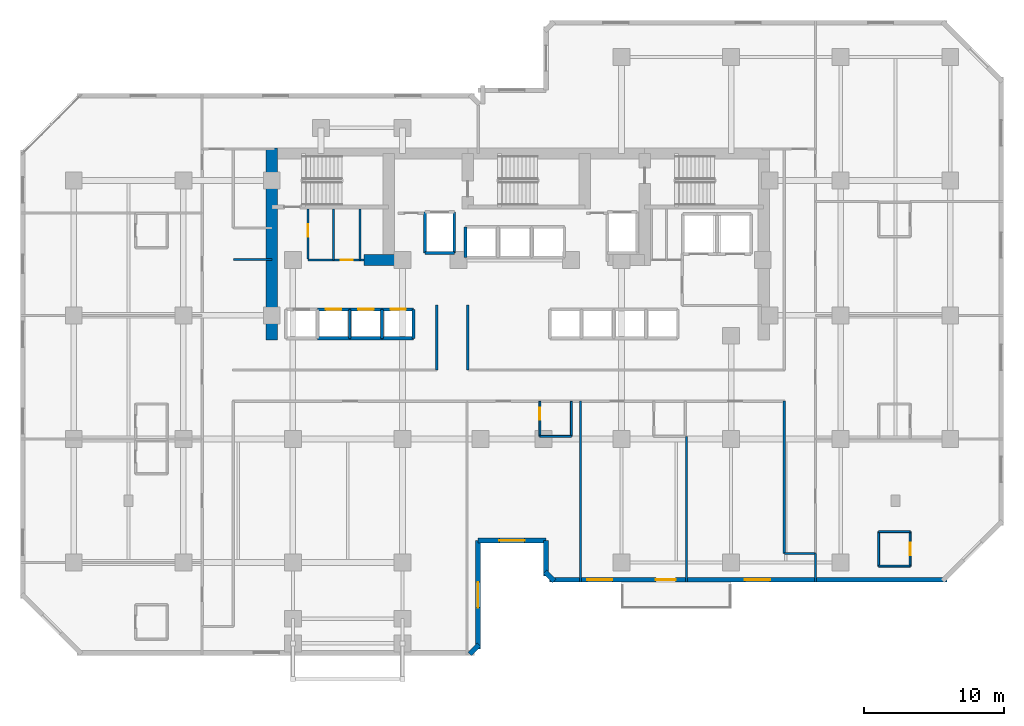
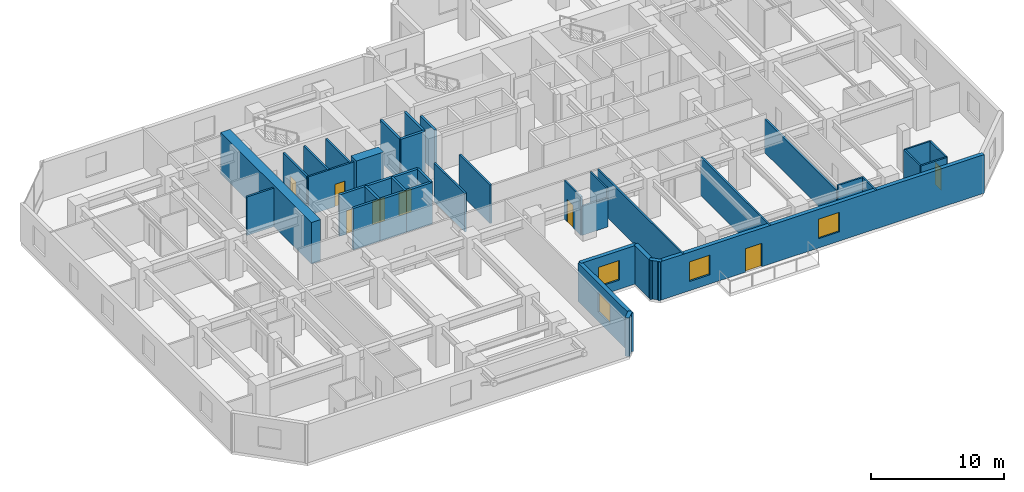
# One storey, part 7 of 12: 40 walls, 8 doors, 4 windows, 12 openings.
"""IFC4 building model written with IfcOpenShell, lengths in metres."""

from ifc_helpers import new_model, si_unit, direction, frame, frame_2d, origin, place, context, subcontext, project, spatial, rectangle, extrude, material, layer, layer_set, type_object, element, fill, save


model = new_model("IFC4")

# Units and contexts
model_context = context("Model", 3, precision=1e-05, world=origin(), true_north=direction((0.0, 1.0)))
body_context = subcontext(model_context, "Body", "Model", "MODEL_VIEW")
ifc_project = project(units=[si_unit("LENGTHUNIT", "METRE"), si_unit("AREAUNIT", "SQUARE_METRE"), si_unit("VOLUMEUNIT", "CUBIC_METRE"), si_unit("PLANEANGLEUNIT", "RADIAN"), si_unit("MASSUNIT", "GRAM", prefix="KILO")], contexts=[model_context])

# Site, building, storey
site_placement = place(None, origin())
site = spatial("IfcSite", under=ifc_project, at=site_placement, CompositionType="ELEMENT")
building_placement = place(site_placement, origin())
building = spatial("IfcBuilding", under=site, at=building_placement, Name="Kestravale Grand Hotel", CompositionType="ELEMENT")
storey_placement = place(building_placement, frame((0.0, 0.0, 91.800048828125)))
storey = spatial("IfcBuildingStorey", under=building, at=storey_placement, Name="L22", CompositionType="ELEMENT", Elevation=91.800048828125)

# Walls
ifc_material_1 = material(Name="Concrete f'c 60 MPa", Category="concrete")
ifc_layer_1 = layer(ifc_material_1, 0.800048828125)
ifc_layer_set_1 = layer_set([ifc_layer_1], Name="EW-CORE-800")
wall_type_1 = type_object("IfcWallType", Name="EW-CORE-800", PredefinedType="SHEAR", material=ifc_layer_set_1)
wall_1_placement = place(storey_placement, frame((21.89990234375, 27.050048828125, 0.0), z_axis=(0.0, 0.0, 1.0), x_axis=(0.0, 1.0, 0.0)))
element("IfcWall", 1, at=wall_1_placement, inside=storey, type_object=wall_type_1, Name="L22 core shear wall W1", PredefinedType="SHEAR", context=body_context, shape_type="SweptSolid", body=[
    extrude(rectangle(XDim=13.669921875, YDim=0.800048828125, at=frame_2d((6.8349609375, 0.0))), origin(), (0.0, 0.0, 1.0), 3.800048828125),
])
wall_2_placement = place(storey_placement, frame((28.449951171875, 32.75, 0.0), z_axis=(0.0, 0.0, 1.0), x_axis=(1.0, 0.0, 0.0)))
element("IfcWall", 2, at=wall_2_placement, inside=storey, type_object=wall_type_1, Name="L22 core shear wall S1", PredefinedType="SHEAR", context=body_context, shape_type="SweptSolid", body=[
    extrude(rectangle(XDim=2.400146484375, YDim=0.800048828125, at=frame_2d((1.2001953125, 0.0))), origin(), (0.0, 0.0, 1.0), 3.800048828125),
])
ifc_material_2 = material(Name="Precast concrete f'c 45 MPa", Category="concrete")
ifc_layer_2 = layer(ifc_material_2, 0.340087890625)
ifc_layer_set_2 = layer_set([ifc_layer_2], Name="EW-PREC-340")
wall_type_2 = type_object("IfcWallType", Name="EW-PREC-340", PredefinedType="SOLIDWALL", material=ifc_layer_set_2)
wall_3_placement = place(storey_placement, frame((36.00146484375, 4.69189453125, 0.0), z_axis=(0.0, 0.0, 1.0), x_axis=(0.707238225886, 0.706975312048, 0.0)))
element("IfcWall", 3, at=wall_3_placement, inside=storey, type_object=wall_type_2, Name="L22 fluted precast facade wall 2", PredefinedType="SOLIDWALL", context=body_context, shape_type="SweptSolid", body=[
    extrude(rectangle(XDim=0.9287109375, YDim=0.340087890625, at=frame_2d((0.46435546875, 0.0))), origin(), (0.0, 0.0, 1.0), 3.5400390625),
])

# Wall, opening, window
wall_4_placement = place(storey_placement, frame((36.580078125, 5.030029296875, 0.0), z_axis=(0.0, 0.0, 1.0), x_axis=(0.0, 1.0, 0.0)))
wall_4 = element("IfcWall", 4, at=wall_4_placement, inside=storey, type_object=wall_type_2, Name="L22 fluted precast facade wall 3", PredefinedType="SOLIDWALL", context=body_context, shape_type="SweptSolid", body=[
    extrude(rectangle(XDim=7.739990234375, YDim=0.340087890625, at=frame_2d((3.8701171875, 0.0))), origin(), (0.0, 0.0, 1.0), 3.5400390625),
])
opening_1_placement = place(wall_4_placement, frame((2.969970703125, 0.0, 0.85009765625)))
opening_1 = element("IfcOpeningElement", 5, at=opening_1_placement, cuts=wall_4, Name="Opening W-GUEST-1800", PredefinedType="OPENING", context=body_context, shape_type="SweptSolid", body=[
    extrude(rectangle(XDim=1.800048828125, YDim=1.800048828125, at=frame_2d((0.89990234375, 0.89990234375))), frame((0.0, 0.179931640625, 0.0), z_axis=(0.0, -1.0, 0.0), x_axis=(1.0, 0.0, 0.0)), (0.0, 0.0, 1.0), 0.360107421875),
])
ifc_material_3 = material(Name="Insulated low-E double glazing in aluminium frame", Category="aluminium")
window_type = type_object("IfcWindowType", Name="W-GUEST-1800", PartitioningType="DOUBLE_PANEL_VERTICAL", PredefinedType="WINDOW", material=ifc_material_3)
window_1_placement = place(opening_1_placement, origin())
window_1 = element("IfcWindow", 6, at=window_1_placement, inside=storey, type_object=window_type, Name="L22 exterior window 3.1", OverallHeight=1.800048828125, OverallWidth=1.800048828125, PartitioningType="SINGLE_PANEL", PredefinedType="WINDOW", context=body_context, shape_type="SweptSolid", body=[
    extrude(rectangle(XDim=1.800048828125, YDim=1.800048828125, at=frame_2d((0.89990234375, 0.89990234375))), frame((0.0, 0.030029296875, 0.0), z_axis=(0.0, -1.0, 0.0), x_axis=(1.0, 0.0, 0.0)), (0.0, 0.0, 1.0), 0.06005859375),
])
fill(opening_1, window_1)

wall_5_placement = place(storey_placement, frame((36.580078125, 12.77001953125, 0.0), z_axis=(0.0, 0.0, 1.0), x_axis=(1.0, 0.0, 0.0)))
wall_5 = element("IfcWall", 7, at=wall_5_placement, inside=storey, type_object=wall_type_2, Name="L22 fluted precast facade wall 4", PredefinedType="SOLIDWALL", context=body_context, shape_type="SweptSolid", body=[
    extrude(rectangle(XDim=4.83984375, YDim=0.340087890625, at=frame_2d((2.419921875, 0.0))), origin(), (0.0, 0.0, 1.0), 3.5400390625),
])
opening_2_placement = place(wall_5_placement, frame((1.52001953125, 0.0, 0.85009765625)))
opening_2 = element("IfcOpeningElement", 8, at=opening_2_placement, cuts=wall_5, Name="Opening W-GUEST-1800", PredefinedType="OPENING", context=body_context, shape_type="SweptSolid", body=[
    extrude(rectangle(XDim=1.800048828125, YDim=1.800048828125, at=frame_2d((0.89990234375, 0.89990234375))), frame((0.0, 0.179931640625, 0.0), z_axis=(0.0, -1.0, 0.0), x_axis=(1.0, 0.0, 0.0)), (0.0, 0.0, 1.0), 0.360107421875),
])
window_2_placement = place(opening_2_placement, origin())
window_2 = element("IfcWindow", 9, at=window_2_placement, inside=storey, type_object=window_type, Name="L22 exterior window 4.1", OverallHeight=1.800048828125, OverallWidth=1.800048828125, PartitioningType="SINGLE_PANEL", PredefinedType="WINDOW", context=body_context, shape_type="SweptSolid", body=[
    extrude(rectangle(XDim=1.800048828125, YDim=1.800048828125, at=frame_2d((0.89990234375, 0.89990234375))), frame((0.0, 0.030029296875, 0.0), z_axis=(0.0, -1.0, 0.0), x_axis=(1.0, 0.0, 0.0)), (0.0, 0.0, 1.0), 0.06005859375),
])
fill(opening_2, window_2)

# Walls
wall_6_placement = place(storey_placement, frame((41.419921875, 12.77001953125, 0.0), z_axis=(0.0, 0.0, 1.0), x_axis=(0.0, -1.0, 0.0)))
element("IfcWall", 10, at=wall_6_placement, inside=storey, type_object=wall_type_2, Name="L22 fluted precast facade wall 5", PredefinedType="SOLIDWALL", context=body_context, shape_type="SweptSolid", body=[
    extrude(rectangle(XDim=2.5400390625, YDim=0.340087890625, at=frame_2d((1.27001953125, 0.0))), origin(), (0.0, 0.0, 1.0), 3.5400390625),
])
wall_7_placement = place(storey_placement, frame((41.341796875, 10.548583984375, 0.0), z_axis=(0.0, 0.0, 1.0), x_axis=(0.707106781187, -0.707106781187, 0.0)))
element("IfcWall", 11, at=wall_7_placement, inside=storey, type_object=wall_type_2, Name="L22 fluted precast facade wall 6", PredefinedType="SOLIDWALL", context=body_context, shape_type="SweptSolid", body=[
    extrude(rectangle(XDim=0.9287109375, YDim=0.340087890625, at=frame_2d((0.46435546875, 0.0))), origin(), (0.0, 0.0, 1.0), 3.5400390625),
])

# Wall, openings, door, windows
wall_8_placement = place(storey_placement, frame((41.679931640625, 9.969970703125, 0.0), z_axis=(0.0, 0.0, 1.0), x_axis=(1.0, 0.0, 0.0)))
wall_8 = element("IfcWall", 12, at=wall_8_placement, inside=storey, type_object=wall_type_2, Name="L22 fluted precast facade wall 7", PredefinedType="SOLIDWALL", context=body_context, shape_type="SweptSolid", body=[
    extrude(rectangle(XDim=28.2900390625, YDim=0.340087890625, at=frame_2d((14.14501953125, 0.0))), origin(), (0.0, 0.0, 1.0), 3.5400390625),
])
opening_3_placement = place(wall_8_placement, frame((7.570068359375, 0.0, 0.0)))
opening_3 = element("IfcOpeningElement", 13, at=opening_3_placement, cuts=wall_8, Name="Opening D-TERR-1400", PredefinedType="OPENING", context=body_context, shape_type="SweptSolid", body=[
    extrude(rectangle(XDim=1.39990234375, YDim=2.14990234375, at=frame_2d((0.699951171875, 1.074951171875))), frame((0.0, 0.179931640625, 0.0), z_axis=(0.0, -1.0, 0.0), x_axis=(1.0, 0.0, 0.0)), (0.0, 0.0, 1.0), 0.360107421875),
])
opening_4_placement = place(wall_8_placement, frame((2.6650390625, 0.0, 0.85009765625)))
opening_4 = element("IfcOpeningElement", 14, at=opening_4_placement, cuts=wall_8, Name="Opening W-GUEST-1800", PredefinedType="OPENING", context=body_context, shape_type="SweptSolid", body=[
    extrude(rectangle(XDim=1.800048828125, YDim=1.800048828125, at=frame_2d((0.89990234375, 0.89990234375))), frame((0.0, 0.179931640625, 0.0), z_axis=(0.0, -1.0, 0.0), x_axis=(1.0, 0.0, 0.0)), (0.0, 0.0, 1.0), 0.360107421875),
])
opening_5_placement = place(wall_8_placement, frame((13.89501953125, 0.0, 0.85009765625)))
opening_5 = element("IfcOpeningElement", 15, at=opening_5_placement, cuts=wall_8, Name="Opening W-GUEST-1800", PredefinedType="OPENING", context=body_context, shape_type="SweptSolid", body=[
    extrude(rectangle(XDim=1.800048828125, YDim=1.800048828125, at=frame_2d((0.89990234375, 0.89990234375))), frame((0.0, 0.179931640625, 0.0), z_axis=(0.0, -1.0, 0.0), x_axis=(1.0, 0.0, 0.0)), (0.0, 0.0, 1.0), 0.360107421875),
])
ifc_material_4 = material(Name="Insulated glazed champagne-bronze aluminium door", Category="aluminium")
door_type_1 = type_object("IfcDoorType", Name="D-TERR-1400", OperationType="NOTDEFINED", PredefinedType="DOOR", material=ifc_material_4)
door_1_placement = place(opening_3_placement, origin())
door_1 = element("IfcDoor", 16, at=door_1_placement, inside=storey, type_object=door_type_1, Name="L22 outdoor garden terrace door", OperationType="DOUBLE_DOOR_SINGLE_SWING", OverallHeight=2.14990234375, OverallWidth=1.39990234375, PredefinedType="DOOR", context=body_context, shape_type="SweptSolid", body=[
    extrude(rectangle(XDim=1.39990234375, YDim=2.14990234375, at=frame_2d((0.699951171875, 1.074951171875))), frame((0.0, 0.02490234375, 0.0), z_axis=(0.0, -1.0, 0.0), x_axis=(1.0, 0.0, 0.0)), (0.0, 0.0, 1.0), 0.050048828125),
])
fill(opening_3, door_1)
window_3_placement = place(opening_4_placement, origin())
window_3 = element("IfcWindow", 17, at=window_3_placement, inside=storey, type_object=window_type, Name="L22 exterior window 7.1", OverallHeight=1.800048828125, OverallWidth=1.800048828125, PartitioningType="SINGLE_PANEL", PredefinedType="WINDOW", context=body_context, shape_type="SweptSolid", body=[
    extrude(rectangle(XDim=1.800048828125, YDim=1.800048828125, at=frame_2d((0.89990234375, 0.89990234375))), frame((0.0, 0.030029296875, 0.0), z_axis=(0.0, -1.0, 0.0), x_axis=(1.0, 0.0, 0.0)), (0.0, 0.0, 1.0), 0.06005859375),
])
fill(opening_4, window_3)
window_4_placement = place(opening_5_placement, origin())
window_4 = element("IfcWindow", 18, at=window_4_placement, inside=storey, type_object=window_type, Name="L22 exterior window 7.2", OverallHeight=1.800048828125, OverallWidth=1.800048828125, PartitioningType="SINGLE_PANEL", PredefinedType="WINDOW", context=body_context, shape_type="SweptSolid", body=[
    extrude(rectangle(XDim=1.800048828125, YDim=1.800048828125, at=frame_2d((0.89990234375, 0.89990234375))), frame((0.0, 0.030029296875, 0.0), z_axis=(0.0, -1.0, 0.0), x_axis=(1.0, 0.0, 0.0)), (0.0, 0.0, 1.0), 0.06005859375),
])
fill(opening_5, window_4)

# Wall, opening, door
ifc_material_5 = material(Name="Acoustic fire-rated gypsum board partition", Category="other")
ifc_layer_3 = layer(ifc_material_5, 0.159912109375)
ifc_layer_set_3 = layer_set([ifc_layer_3], Name="IW-CORR-160")
wall_type_3 = type_object("IfcWallType", Name="IW-CORR-160", PredefinedType="PARTITIONING", material=ifc_layer_set_3)
wall_9_placement = place(storey_placement, frame((24.47998046875, 32.800048828125, 0.0), z_axis=(0.0, 0.0, 1.0), x_axis=(0.0, 1.0, 0.0)))
wall_9 = element("IfcWall", 19, at=wall_9_placement, inside=storey, type_object=wall_type_3, Name="L22 west core vestibule wall", PredefinedType="PARTITIONING", context=body_context, shape_type="SweptSolid", body=[
    extrude(rectangle(XDim=3.570068359375, YDim=0.159912109375, at=frame_2d((1.78515625, 0.0))), origin(), (0.0, 0.0, 1.0), 3.5400390625),
])
opening_6_placement = place(wall_9_placement, frame((1.603515625, 0.0, 0.0)))
opening_6 = element("IfcOpeningElement", 20, at=opening_6_placement, cuts=wall_9, Name="Opening D-SH-900", PredefinedType="OPENING", context=body_context, shape_type="SweptSolid", body=[
    extrude(rectangle(XDim=0.89990234375, YDim=2.10009765625, at=frame_2d((0.449951171875, 1.050048828125))), frame((0.0, 0.08984375, 0.0), z_axis=(0.0, -1.0, 0.0), x_axis=(1.0, 0.0, 0.0)), (0.0, 0.0, 1.0), 0.179931640625),
])
ifc_material_6 = material(Name="Galvanised 90-minute shaft and service fire door", Category="steel")
door_type_2 = type_object("IfcDoorType", Name="D-SH-900", OperationType="NOTDEFINED", PredefinedType="DOOR", material=ifc_material_6)
door_2_placement = place(opening_6_placement, origin())
door_2 = element("IfcDoor", 21, at=door_2_placement, inside=storey, type_object=door_type_2, Name="D-L22-HK", OperationType="SINGLE_SWING_RIGHT", OverallHeight=2.10009765625, OverallWidth=0.89990234375, PredefinedType="DOOR", context=body_context, shape_type="SweptSolid", body=[
    extrude(rectangle(XDim=0.89990234375, YDim=2.10009765625, at=frame_2d((0.449951171875, 1.050048828125))), frame((0.0, 0.02490234375, 0.0), z_axis=(0.0, -1.0, 0.0), x_axis=(1.0, 0.0, 0.0)), (0.0, 0.0, 1.0), 0.050048828125),
])
fill(opening_6, door_2)

wall_10_placement = place(storey_placement, frame((24.47998046875, 32.75, 0.0), z_axis=(0.0, 0.0, 1.0), x_axis=(1.0, 0.0, 0.0)))
wall_10 = element("IfcWall", 22, at=wall_10_placement, inside=storey, type_object=wall_type_3, Name="W-L22-CWS", PredefinedType="PARTITIONING", context=body_context, shape_type="SweptSolid", body=[
    extrude(rectangle(XDim=3.969970703125, YDim=0.159912109375, at=frame_2d((1.98486328125, 0.0))), origin(), (0.0, 0.0, 1.0), 3.5400390625),
])
opening_7_placement = place(wall_10_placement, frame((2.31005859375, 0.0, 0.0)))
opening_7 = element("IfcOpeningElement", 23, at=opening_7_placement, cuts=wall_10, Name="Opening D-SH-860", PredefinedType="OPENING", context=body_context, shape_type="SweptSolid", body=[
    extrude(rectangle(XDim=0.860107421875, YDim=2.050048828125, at=frame_2d((0.43017578125, 1.02490234375))), frame((0.0, 0.08984375, 0.0), z_axis=(0.0, -1.0, 0.0), x_axis=(1.0, 0.0, 0.0)), (0.0, 0.0, 1.0), 0.179931640625),
])
ifc_material_7 = material(Name="Galvanised 90-minute riser fire door", Category="steel")
door_type_3 = type_object("IfcDoorType", Name="D-SH-860", OperationType="NOTDEFINED", PredefinedType="DOOR", material=ifc_material_7)
door_3_placement = place(opening_7_placement, origin())
door_3 = element("IfcDoor", 24, at=door_3_placement, inside=storey, type_object=door_type_3, Name="D-L22-IDF", OperationType="SINGLE_SWING_RIGHT", OverallHeight=2.050048828125, OverallWidth=0.860107421875, PredefinedType="DOOR", context=body_context, shape_type="SweptSolid", body=[
    extrude(rectangle(XDim=0.860107421875, YDim=2.050048828125, at=frame_2d((0.43017578125, 1.02490234375))), frame((0.0, 0.02490234375, 0.0), z_axis=(0.0, -1.0, 0.0), x_axis=(1.0, 0.0, 0.0)), (0.0, 0.0, 1.0), 0.050048828125),
])
fill(opening_7, door_3)

# Walls
for number, where, z_axis, x_axis, name in (
    (25, (33.64990234375, 24.909912109375, 0.0), (0.0, 0.0, 1.0), (0.0, 1.0, 0.0), "W-L22-TRUNK-W"),
    (26, (35.85009765625, 24.909912109375, 0.0), (0.0, 0.0, 1.0), (0.0, 1.0, 0.0), "W-L22-TRUNK-E"),
):
    element("IfcWall", number, at=place(storey_placement, frame(where, z_axis=z_axis, x_axis=x_axis)), inside=storey, type_object=wall_type_3, Name=name, PredefinedType="PARTITIONING", context=body_context, shape_type="SweptSolid", body=[
        extrude(rectangle(XDim=4.64013671875, YDim=0.159912109375, at=frame_2d((2.320068359375, 0.0))), origin(), (0.0, 0.0, 1.0), 3.5400390625),
    ])
wall_11_placement = place(storey_placement, frame((19.159912109375, 32.780029296875, 0.0), z_axis=(0.0, 0.0, 1.0), x_axis=(1.0, 0.0, 0.0)))
element("IfcWall", 27, at=wall_11_placement, inside=storey, type_object=wall_type_3, Name="W-L22-SW-CS", PredefinedType="PARTITIONING", context=body_context, shape_type="SweptSolid", body=[
    extrude(rectangle(XDim=2.739990234375, YDim=0.159912109375, at=frame_2d((1.3701171875, 0.0))), origin(), (0.0, 0.0, 1.0), 3.5400390625),
])
wall_12_placement = place(storey_placement, frame((58.389892578125, 11.85009765625, 0.0), z_axis=(0.0, 0.0, 1.0), x_axis=(0.0, 1.0, 0.0)))
element("IfcWall", 28, at=wall_12_placement, inside=storey, type_object=wall_type_3, Name="W-L22-SE-W", PredefinedType="PARTITIONING", context=body_context, shape_type="SweptSolid", body=[
    extrude(rectangle(XDim=10.83984375, YDim=0.159912109375, at=frame_2d((5.419921875, 0.0))), origin(), (0.0, 0.0, 1.0), 3.0830078125),
])

# Wall, opening, door
ifc_material_8 = material(Name="Moisture-resistant tile-backer plumbing chase wall", Category="other")
ifc_layer_4 = layer(ifc_material_8, 0.139892578125)
ifc_layer_set_4 = layer_set([ifc_layer_4], Name="IW-PLB-140")
wall_type_4 = type_object("IfcWallType", Name="IW-PLB-140", PredefinedType="PLUMBINGWALL", material=ifc_layer_set_4)
wall_13_placement = place(storey_placement, frame((40.97998046875, 20.179931640625, 0.0), z_axis=(0.0, 0.0, 1.0), x_axis=(0.0, 1.0, 0.0)))
wall_13 = element("IfcWall", 29, at=wall_13_placement, inside=storey, type_object=wall_type_4, Name="W-L22-U01-BW", PredefinedType="PLUMBINGWALL", context=body_context, shape_type="SweptSolid", body=[
    extrude(rectangle(XDim=2.489990234375, YDim=0.139892578125, at=frame_2d((1.2451171875, 0.0))), origin(), (0.0, 0.0, 1.0), 3.5400390625),
])
opening_8_placement = place(wall_13_placement, frame((1.169921875, 0.0, 0.0)))
opening_8 = element("IfcOpeningElement", 30, at=opening_8_placement, cuts=wall_13, Name="Opening D-BATH-880", PredefinedType="OPENING", context=body_context, shape_type="SweptSolid", body=[
    extrude(rectangle(XDim=0.8798828125, YDim=2.050048828125, at=frame_2d((0.43994140625, 1.02490234375))), frame((0.0, 0.079833984375, 0.0), z_axis=(0.0, -1.0, 0.0), x_axis=(1.0, 0.0, 0.0)), (0.0, 0.0, 1.0), 0.159912109375),
])
ifc_material_9 = material(Name="Moisture-sealed walnut en-suite bathroom door", Category="wood")
door_type_4 = type_object("IfcDoorType", Name="D-BATH-880", OperationType="NOTDEFINED", PredefinedType="DOOR", material=ifc_material_9)
door_4_placement = place(opening_8_placement, origin())
door_4 = element("IfcDoor", 31, at=door_4_placement, inside=storey, type_object=door_type_4, Name="D-L22-U01-BATH", OperationType="SINGLE_SWING_RIGHT", OverallHeight=2.050048828125, OverallWidth=0.8798828125, PredefinedType="DOOR", context=body_context, shape_type="SweptSolid", body=[
    extrude(rectangle(XDim=0.8798828125, YDim=2.050048828125, at=frame_2d((0.43994140625, 1.02490234375))), frame((0.0, 0.02490234375, 0.0), z_axis=(0.0, -1.0, 0.0), x_axis=(1.0, 0.0, 0.0)), (0.0, 0.0, 1.0), 0.050048828125),
])
fill(opening_8, door_4)

# Walls
wall_14_placement = place(storey_placement, frame((43.22998046875, 20.179931640625, 0.0), z_axis=(0.0, 0.0, 1.0), x_axis=(0.0, 1.0, 0.0)))
element("IfcWall", 32, at=wall_14_placement, inside=storey, type_object=wall_type_4, Name="W-L22-U01-BE", PredefinedType="PLUMBINGWALL", context=body_context, shape_type="SweptSolid", body=[
    extrude(rectangle(XDim=2.489990234375, YDim=0.139892578125, at=frame_2d((1.2451171875, 0.0))), origin(), (0.0, 0.0, 1.0), 3.5400390625),
])
wall_15_placement = place(storey_placement, frame((40.97998046875, 20.179931640625, 0.0), z_axis=(0.0, 0.0, 1.0), x_axis=(1.0, 0.0, 0.0)))
element("IfcWall", 33, at=wall_15_placement, inside=storey, type_object=wall_type_4, Name="W-L22-U01-BS", PredefinedType="PLUMBINGWALL", context=body_context, shape_type="SweptSolid", body=[
    extrude(rectangle(XDim=2.25, YDim=0.139892578125, at=frame_2d((1.125, 0.0))), origin(), (0.0, 0.0, 1.0), 2.678955078125),
])
wall_16_placement = place(storey_placement, frame((65.10009765625, 10.949951171875, 0.0), z_axis=(0.0, 0.0, 1.0), x_axis=(0.0, 1.0, 0.0)))
element("IfcWall", 34, at=wall_16_placement, inside=storey, type_object=wall_type_4, Name="W-L22-U07-BW", PredefinedType="PLUMBINGWALL", context=body_context, shape_type="SweptSolid", body=[
    extrude(rectangle(XDim=2.449951171875, YDim=0.139892578125, at=frame_2d((1.22509765625, 0.0))), origin(), (0.0, 0.0, 1.0), 3.5400390625),
])

# Wall, opening, door
wall_17_placement = place(storey_placement, frame((67.35009765625, 10.949951171875, 0.0), z_axis=(0.0, 0.0, 1.0), x_axis=(0.0, 1.0, 0.0)))
wall_17 = element("IfcWall", 35, at=wall_17_placement, inside=storey, type_object=wall_type_4, Name="W-L22-U07-BE", PredefinedType="PLUMBINGWALL", context=body_context, shape_type="SweptSolid", body=[
    extrude(rectangle(XDim=2.449951171875, YDim=0.139892578125, at=frame_2d((1.22509765625, 0.0))), origin(), (0.0, 0.0, 1.0), 3.5400390625),
])
opening_9_placement = place(wall_17_placement, frame((0.784912109375, 0.0, 0.0)))
opening_9 = element("IfcOpeningElement", 36, at=opening_9_placement, cuts=wall_17, Name="Opening D-BATH-880", PredefinedType="OPENING", context=body_context, shape_type="SweptSolid", body=[
    extrude(rectangle(XDim=0.8798828125, YDim=2.050048828125, at=frame_2d((0.43994140625, 1.02490234375))), frame((0.0, 0.079833984375, 0.0), z_axis=(0.0, -1.0, 0.0), x_axis=(1.0, 0.0, 0.0)), (0.0, 0.0, 1.0), 0.159912109375),
])
door_5_placement = place(opening_9_placement, origin())
door_5 = element("IfcDoor", 37, at=door_5_placement, inside=storey, type_object=door_type_4, Name="D-L22-U07-BATH", OperationType="SINGLE_SWING_RIGHT", OverallHeight=2.050048828125, OverallWidth=0.8798828125, PredefinedType="DOOR", context=body_context, shape_type="SweptSolid", body=[
    extrude(rectangle(XDim=0.8798828125, YDim=2.050048828125, at=frame_2d((0.43994140625, 1.02490234375))), frame((0.0, 0.02490234375, 0.0), z_axis=(0.0, -1.0, 0.0), x_axis=(1.0, 0.0, 0.0)), (0.0, 0.0, 1.0), 0.050048828125),
])
fill(opening_9, door_5)

# Walls
for number, where, z_axis, x_axis, name in (
    (38, (65.10009765625, 10.949951171875, 0.0), (0.0, 0.0, 1.0), (1.0, 0.0, 0.0), "W-L22-U07-BS"),
    (39, (65.10009765625, 13.39990234375, 0.0), (0.0, 0.0, 1.0), (1.0, 0.0, 0.0), "W-L22-U07-BN"),
):
    element("IfcWall", number, at=place(storey_placement, frame(where, z_axis=z_axis, x_axis=x_axis)), inside=storey, type_object=wall_type_4, Name=name, PredefinedType="PLUMBINGWALL", context=body_context, shape_type="SweptSolid", body=[
        extrude(rectangle(XDim=2.25, YDim=0.139892578125, at=frame_2d((1.125, 0.0))), origin(), (0.0, 0.0, 1.0), 3.5400390625),
    ])
ifc_material_10 = material(Name="Concrete f'c 45 MPa", Category="concrete")
ifc_layer_5 = layer(ifc_material_10, 0.199951171875)
ifc_layer_set_5 = layer_set([ifc_layer_5], Name="IW-SHAFT-200")
wall_type_5 = type_object("IfcWallType", Name="IW-SHAFT-200", PredefinedType="SHEAR", material=ifc_layer_set_5)
for number, where, z_axis, x_axis, name in (
    (40, (27.449951171875, 27.169921875, 0.0), (0.0, 0.0, 1.0), (0.0, 1.0, 0.0), "L22 PL-L3 west shaft wall"),
    (41, (29.75, 27.169921875, 0.0), (0.0, 0.0, 1.0), (0.0, 1.0, 0.0), "L22 PL-L4 west shaft wall"),
    (42, (31.9951171875, 27.169921875, 0.0), (0.0, 0.0, 1.0), (0.0, 1.0, 0.0), "L22 PL-L4 east shaft wall"),
):
    element("IfcWall", number, at=place(storey_placement, frame(where, z_axis=z_axis, x_axis=x_axis)), inside=storey, type_object=wall_type_5, Name=name, PredefinedType="SHEAR", context=body_context, shape_type="SweptSolid", body=[
        extrude(rectangle(XDim=2.06005859375, YDim=0.199951171875, at=frame_2d((1.030029296875, 0.0))), origin(), (0.0, 0.0, 1.0), 3.800048828125),
    ])
wall_18_placement = place(storey_placement, frame((35.679931640625, 32.919921875, 0.0), z_axis=(0.0, 0.0, 1.0), x_axis=(0.0, 1.0, 0.0)))
element("IfcWall", 43, at=wall_18_placement, inside=storey, type_object=wall_type_5, Name="L22 PL-X1 west shaft wall", PredefinedType="SHEAR", context=body_context, shape_type="SweptSolid", body=[
    extrude(rectangle(XDim=2.16015625, YDim=0.199951171875, at=frame_2d((1.080078125, 0.0))), origin(), (0.0, 0.0, 1.0), 3.800048828125),
])
for number, where, z_axis, x_axis, name in (
    (44, (32.804931640625, 33.2451171875, 0.0), (0.0, 0.0, 1.0), (0.0, 1.0, 0.0), "L22 FL-1 west shaft wall"),
    (45, (34.89501953125, 33.2451171875, 0.0), (0.0, 0.0, 1.0), (0.0, 1.0, 0.0), "L22 FL-1 east shaft wall"),
):
    element("IfcWall", number, at=place(storey_placement, frame(where, z_axis=z_axis, x_axis=x_axis)), inside=storey, type_object=wall_type_5, Name=name, PredefinedType="SHEAR", context=body_context, shape_type="SweptSolid", body=[
        extrude(rectangle(XDim=2.909912109375, YDim=0.199951171875, at=frame_2d((1.455078125, 0.0))), origin(), (0.0, 0.0, 1.0), 3.800048828125),
    ])

# Wall, opening, door
ifc_material_11 = material(Name="Concrete f'c 45 MPa", Category="concrete")
ifc_layer_6 = layer(ifc_material_11, 0.219970703125)
ifc_layer_set_6 = layer_set([ifc_layer_6], Name="IW-SHAFT-220")
wall_type_6 = type_object("IfcWallType", Name="IW-SHAFT-220", PredefinedType="SHEAR", material=ifc_layer_set_6)
wall_19_placement = place(storey_placement, frame((25.14990234375, 29.22998046875, 0.0), z_axis=(0.0, 0.0, 1.0), x_axis=(1.0, 0.0, 0.0)))
wall_19 = element("IfcWall", 46, at=wall_19_placement, inside=storey, type_object=wall_type_6, Name="L22 PL-L2 north shaft wall", PredefinedType="SHEAR", context=body_context, shape_type="SweptSolid", body=[
    extrude(rectangle(XDim=2.300048828125, YDim=0.219970703125, at=frame_2d((1.14990234375, 0.0))), origin(), (0.0, 0.0, 1.0), 3.800048828125),
])
opening_10_placement = place(wall_19_placement, frame((0.60009765625, 0.0, 0.0)))
opening_10 = element("IfcOpeningElement", 47, at=opening_10_placement, cuts=wall_19, Name="Opening LD-PAX-1100", PredefinedType="OPENING", context=body_context, shape_type="SweptSolid", body=[
    extrude(rectangle(XDim=1.10009765625, YDim=2.14990234375, at=frame_2d((0.550048828125, 1.074951171875))), frame((0.0, 0.119873046875, 0.0), z_axis=(0.0, -1.0, 0.0), x_axis=(1.0, 0.0, 0.0)), (0.0, 0.0, 1.0), 0.239990234375),
])
ifc_material_12 = material(Name="Champagne-bronze center-opening sliding elevator landing door", Category="steel")
door_type_5 = type_object("IfcDoorType", Name="LD-PAX-1100", OperationType="NOTDEFINED", PredefinedType="DOOR", material=ifc_material_12)
door_6_placement = place(opening_10_placement, origin())
door_6 = element("IfcDoor", 48, at=door_6_placement, inside=storey, type_object=door_type_5, Name="L22 PL-L2 elevator landing sliding door", OperationType="DOUBLE_DOOR_SLIDING", OverallHeight=2.14990234375, OverallWidth=1.10009765625, PredefinedType="DOOR", context=body_context, shape_type="SweptSolid", body=[
    extrude(rectangle(XDim=1.10009765625, YDim=2.14990234375, at=frame_2d((0.550048828125, 1.074951171875))), frame((0.0, 0.02490234375, 0.0), z_axis=(0.0, -1.0, 0.0), x_axis=(1.0, 0.0, 0.0)), (0.0, 0.0, 1.0), 0.050048828125),
])
fill(opening_10, door_6)

# Wall
wall_20_placement = place(storey_placement, frame((25.14990234375, 27.169921875, 0.0), z_axis=(0.0, 0.0, 1.0), x_axis=(1.0, 0.0, 0.0)))
element("IfcWall", 49, at=wall_20_placement, inside=storey, type_object=wall_type_6, Name="L22 PL-L2 south shaft wall", PredefinedType="SHEAR", context=body_context, shape_type="SweptSolid", body=[
    extrude(rectangle(XDim=2.300048828125, YDim=0.219970703125, at=frame_2d((1.14990234375, 0.0))), origin(), (0.0, 0.0, 1.0), 3.800048828125),
])

# Wall, opening, door
wall_21_placement = place(storey_placement, frame((27.449951171875, 29.22998046875, 0.0), z_axis=(0.0, 0.0, 1.0), x_axis=(1.0, 0.0, 0.0)))
wall_21 = element("IfcWall", 50, at=wall_21_placement, inside=storey, type_object=wall_type_6, Name="L22 PL-L3 north shaft wall", PredefinedType="SHEAR", context=body_context, shape_type="SweptSolid", body=[
    extrude(rectangle(XDim=2.300048828125, YDim=0.219970703125, at=frame_2d((1.14990234375, 0.0))), origin(), (0.0, 0.0, 1.0), 3.800048828125),
])
opening_11_placement = place(wall_21_placement, frame((0.60009765625, 0.0, 0.0)))
opening_11 = element("IfcOpeningElement", 51, at=opening_11_placement, cuts=wall_21, Name="Opening LD-PAX-1100", PredefinedType="OPENING", context=body_context, shape_type="SweptSolid", body=[
    extrude(rectangle(XDim=1.10009765625, YDim=2.14990234375, at=frame_2d((0.550048828125, 1.074951171875))), frame((0.0, 0.119873046875, 0.0), z_axis=(0.0, -1.0, 0.0), x_axis=(1.0, 0.0, 0.0)), (0.0, 0.0, 1.0), 0.239990234375),
])
door_7_placement = place(opening_11_placement, origin())
door_7 = element("IfcDoor", 52, at=door_7_placement, inside=storey, type_object=door_type_5, Name="L22 PL-L3 elevator landing sliding door", OperationType="DOUBLE_DOOR_SLIDING", OverallHeight=2.14990234375, OverallWidth=1.10009765625, PredefinedType="DOOR", context=body_context, shape_type="SweptSolid", body=[
    extrude(rectangle(XDim=1.10009765625, YDim=2.14990234375, at=frame_2d((0.550048828125, 1.074951171875))), frame((0.0, 0.02490234375, 0.0), z_axis=(0.0, -1.0, 0.0), x_axis=(1.0, 0.0, 0.0)), (0.0, 0.0, 1.0), 0.050048828125),
])
fill(opening_11, door_7)

# Wall
wall_22_placement = place(storey_placement, frame((27.449951171875, 27.169921875, 0.0), z_axis=(0.0, 0.0, 1.0), x_axis=(1.0, 0.0, 0.0)))
element("IfcWall", 53, at=wall_22_placement, inside=storey, type_object=wall_type_6, Name="L22 PL-L3 south shaft wall", PredefinedType="SHEAR", context=body_context, shape_type="SweptSolid", body=[
    extrude(rectangle(XDim=2.300048828125, YDim=0.219970703125, at=frame_2d((1.14990234375, 0.0))), origin(), (0.0, 0.0, 1.0), 3.800048828125),
])

# Wall, opening, door
wall_23_placement = place(storey_placement, frame((29.75, 29.22998046875, 0.0), z_axis=(0.0, 0.0, 1.0), x_axis=(1.0, 0.0, 0.0)))
wall_23 = element("IfcWall", 54, at=wall_23_placement, inside=storey, type_object=wall_type_6, Name="L22 PL-L4 north shaft wall", PredefinedType="SHEAR", context=body_context, shape_type="SweptSolid", body=[
    extrude(rectangle(XDim=2.2451171875, YDim=0.219970703125, at=frame_2d((1.12255859375, 0.0))), origin(), (0.0, 0.0, 1.0), 3.800048828125),
])
opening_12_placement = place(wall_23_placement, frame((0.60009765625, 0.0, 0.0)))
opening_12 = element("IfcOpeningElement", 55, at=opening_12_placement, cuts=wall_23, Name="Opening LD-PAX-1100", PredefinedType="OPENING", context=body_context, shape_type="SweptSolid", body=[
    extrude(rectangle(XDim=1.10009765625, YDim=2.14990234375, at=frame_2d((0.550048828125, 1.074951171875))), frame((0.0, 0.119873046875, 0.0), z_axis=(0.0, -1.0, 0.0), x_axis=(1.0, 0.0, 0.0)), (0.0, 0.0, 1.0), 0.239990234375),
])
door_8_placement = place(opening_12_placement, origin())
door_8 = element("IfcDoor", 56, at=door_8_placement, inside=storey, type_object=door_type_5, Name="L22 PL-L4 elevator landing sliding door", OperationType="DOUBLE_DOOR_SLIDING", OverallHeight=2.14990234375, OverallWidth=1.10009765625, PredefinedType="DOOR", context=body_context, shape_type="SweptSolid", body=[
    extrude(rectangle(XDim=1.10009765625, YDim=2.14990234375, at=frame_2d((0.550048828125, 1.074951171875))), frame((0.0, 0.02490234375, 0.0), z_axis=(0.0, -1.0, 0.0), x_axis=(1.0, 0.0, 0.0)), (0.0, 0.0, 1.0), 0.050048828125),
])
fill(opening_12, door_8)

# Walls
wall_24_placement = place(storey_placement, frame((29.75, 27.169921875, 0.0), z_axis=(0.0, 0.0, 1.0), x_axis=(1.0, 0.0, 0.0)))
element("IfcWall", 57, at=wall_24_placement, inside=storey, type_object=wall_type_6, Name="L22 PL-L4 south shaft wall", PredefinedType="SHEAR", context=body_context, shape_type="SweptSolid", body=[
    extrude(rectangle(XDim=2.2451171875, YDim=0.219970703125, at=frame_2d((1.12255859375, 0.0))), origin(), (0.0, 0.0, 1.0), 3.800048828125),
])
wall_25_placement = place(storey_placement, frame((32.804931640625, 33.2451171875, 0.0), z_axis=(0.0, 0.0, 1.0), x_axis=(1.0, 0.0, 0.0)))
element("IfcWall", 58, at=wall_25_placement, inside=storey, type_object=wall_type_6, Name="L22 FL-1 south shaft wall", PredefinedType="SHEAR", context=body_context, shape_type="SweptSolid", body=[
    extrude(rectangle(XDim=2.090087890625, YDim=0.219970703125, at=frame_2d((1.044921875, 0.0))), origin(), (0.0, 0.0, 1.0), 3.800048828125),
])
ifc_material_13 = material(Name="Double-stud STC 52 acoustic demising partition", Category="other")
ifc_layer_7 = layer(ifc_material_13, 0.14990234375)
ifc_layer_set_7 = layer_set([ifc_layer_7], Name="IW-UNIT-150")
wall_type_7 = type_object("IfcWallType", Name="IW-UNIT-150", PredefinedType="PARTITIONING", material=ifc_layer_set_7)
for number, where, z_axis, x_axis, name in (
    (59, (26.280029296875, 32.75, 0.0), (0.0, 0.0, 1.0), (0.0, 1.0, 0.0), "W-L22-CC1-1"),
    (60, (28.179931640625, 32.75, 0.0), (0.0, 0.0, 1.0), (0.0, 1.0, 0.0), "W-L22-CC1-2"),
):
    element("IfcWall", number, at=place(storey_placement, frame(where, z_axis=z_axis, x_axis=x_axis)), inside=storey, type_object=wall_type_7, Name=name, PredefinedType="PARTITIONING", context=body_context, shape_type="SweptSolid", body=[
        extrude(rectangle(XDim=3.6201171875, YDim=0.14990234375, at=frame_2d((1.81005859375, 0.0))), origin(), (0.0, 0.0, 1.0), 3.5400390625),
    ])
wall_26_placement = place(storey_placement, frame((58.389892578125, 11.85009765625, 0.0), z_axis=(0.0, 0.0, 1.0), x_axis=(1.0, 0.0, 0.0)))
element("IfcWall", 61, at=wall_26_placement, inside=storey, type_object=wall_type_7, Name="W-L22-SE-S", PredefinedType="PARTITIONING", context=body_context, shape_type="SweptSolid", body=[
    extrude(rectangle(XDim=2.22021484375, YDim=0.14990234375, at=frame_2d((1.110107421875, 0.0))), origin(), (0.0, 0.0, 1.0), 3.5400390625),
])
wall_27_placement = place(storey_placement, frame((43.8798828125, 9.820068359375, 0.0), z_axis=(0.0, 0.0, 1.0), x_axis=(0.0, 1.0, 0.0)))
element("IfcWall", 62, at=wall_27_placement, inside=storey, type_object=wall_type_7, Name="W-L22-ES-1", PredefinedType="PARTITIONING", context=body_context, shape_type="SweptSolid", body=[
    extrude(rectangle(XDim=12.869873046875, YDim=0.14990234375, at=frame_2d((6.43505859375, 0.0))), origin(), (0.0, 0.0, 1.0), 3.5400390625),
])
wall_28_placement = place(storey_placement, frame((51.409912109375, 9.820068359375, 0.0), z_axis=(0.0, 0.0, 1.0), x_axis=(0.0, 1.0, 0.0)))
element("IfcWall", 63, at=wall_28_placement, inside=storey, type_object=wall_type_7, Name="W-L22-ES-2", PredefinedType="PARTITIONING", context=body_context, shape_type="SweptSolid", body=[
    extrude(rectangle(XDim=10.35986328125, YDim=0.14990234375, at=frame_2d((5.179931640625, 0.0))), origin(), (0.0, 0.0, 1.0), 3.5400390625),
])
wall_29_placement = place(storey_placement, frame((60.610107421875, 9.820068359375, 0.0), z_axis=(0.0, 0.0, 1.0), x_axis=(0.0, 1.0, 0.0)))
element("IfcWall", 64, at=wall_29_placement, inside=storey, type_object=wall_type_7, Name="W-L22-SE-EXT", PredefinedType="PARTITIONING", context=body_context, shape_type="SweptSolid", body=[
    extrude(rectangle(XDim=2.030029296875, YDim=0.14990234375, at=frame_2d((1.01513671875, 0.0))), origin(), (0.0, 0.0, 1.0), 3.5400390625),
])

save(model, "model.ifc")
